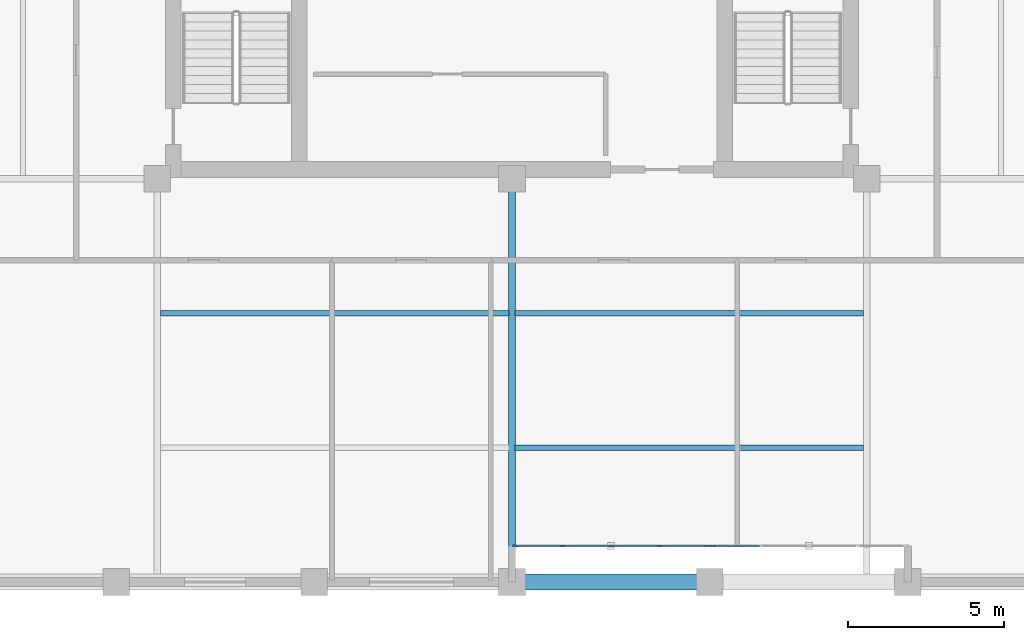
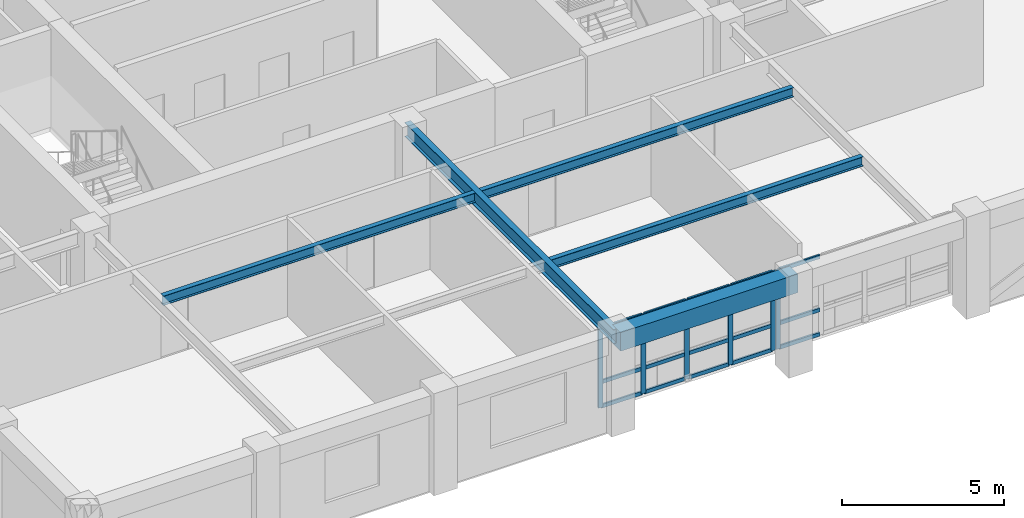
# One storey, part 2 of 13: 21 members, 5 beams, 2 elements without a shape of their own.
"""IFC4 building model written with IfcOpenShell, lengths in metres."""

from ifc_helpers import new_model, si_unit, direction, frame, origin, origin_2d, place, context, subcontext, project, spatial, rectangle, i_section, extrude, material, layer, layer_set, material_profile, profile_set, type_object, element, aggregate, save


model = new_model("IFC4")

# Units and contexts
model_context = context("Model", 3, precision=1e-05, world=origin(), true_north=direction((0.0, 1.0)))
body_context = subcontext(model_context, "Body", "Model", "MODEL_VIEW")
ifc_project = project(units=[si_unit("LENGTHUNIT", "METRE"), si_unit("AREAUNIT", "SQUARE_METRE"), si_unit("VOLUMEUNIT", "CUBIC_METRE"), si_unit("PLANEANGLEUNIT", "RADIAN"), si_unit("MASSUNIT", "GRAM", prefix="KILO")], contexts=[model_context])

# Site, building, storey
site_placement = place(None, origin())
site = spatial("IfcSite", under=ifc_project, at=site_placement, CompositionType="ELEMENT")
building_placement = place(site_placement, origin())
building = spatial("IfcBuilding", under=site, at=building_placement, Name="Nhamokura Convention Tower", CompositionType="ELEMENT")
storey_placement = place(building_placement, frame((0.0, 0.0, 206.14990234375)))
storey = spatial("IfcBuildingStorey", under=building, at=storey_placement, Name="L50", CompositionType="ELEMENT", Elevation=206.14990234375)

# Curtain wall, members
ifc_material_1 = material(Name="Anodised bronze aluminium AA6063-T6", Category="aluminium")
ifc_layer = layer(ifc_material_1, 0.155029296875)
ifc_layer_set = layer_set([ifc_layer], Name="CWSystem_ScaleSlot_Zone3")
curtain_wall_type = type_object("IfcCurtainWallType", Name="CWSystem_ScaleSlot_Zone3", PredefinedType="NOTDEFINED", material=ifc_layer_set)
curtain_wall_1_placement = place(storey_placement, origin())
curtain_wall_1 = element("IfcCurtainWall", 1, at=curtain_wall_1_placement, inside=storey, type_object=curtain_wall_type, Name="L50 Curtain Wall ENV-L50-SLOT-S3", PredefinedType="NOTDEFINED")
ifc_material_2 = material(Name="Anodised bronze aluminium AA6063-T6", Category="aluminium")
ifc_material_profile_1 = material_profile(ifc_material_2, rectangle(XDim=0.06494140625, YDim=0.1650390625, at=origin_2d()))
ifc_profile_set_1 = profile_set([ifc_material_profile_1], Name="Anodised bronze aluminium AA6063-T6")
member_type_1 = type_object("IfcMemberType", Name="CWMullion_3", PredefinedType="MULLION", material=ifc_profile_set_1)
member_1_placement = place(storey_placement, frame((38.24072265625, 8.89990234375, 0.0), z_axis=(0.0, 0.0, 1.0), x_axis=(0.0, -1.0, 0.0)))
member_1 = element("IfcMember", 2, at=member_1_placement, type_object=member_type_1, Name="CW-05 mullion 1", PredefinedType="MULLION", context=body_context, shape_type="SweptSolid", body=[
    extrude(rectangle(XDim=0.06494140625, YDim=0.1650390625, at=origin_2d()), origin(), (0.0, 0.0, 1.0), 2.985107421875),
])
member_2_placement = place(storey_placement, frame((36.719970703125, 8.89990234375, 0.0), z_axis=(0.0, 0.0, 1.0), x_axis=(0.0, -1.0, 0.0)))
member_2 = element("IfcMember", 3, at=member_2_placement, type_object=member_type_1, Name="CW-05 mullion 2", PredefinedType="MULLION", context=body_context, shape_type="SweptSolid", body=[
    extrude(rectangle(XDim=0.06494140625, YDim=0.1650390625, at=origin_2d()), origin(), (0.0, 0.0, 1.0), 2.985107421875),
])
member_3_placement = place(storey_placement, frame((35.166748046875, 8.89990234375, 0.0), z_axis=(0.0, 0.0, 1.0), x_axis=(0.0, -1.0, 0.0)))
member_3 = element("IfcMember", 4, at=member_3_placement, type_object=member_type_1, Name="CW-05 mullion 3", PredefinedType="MULLION", context=body_context, shape_type="SweptSolid", body=[
    extrude(rectangle(XDim=0.06494140625, YDim=0.1650390625, at=origin_2d()), origin(), (0.0, 0.0, 1.0), 2.985107421875),
])
member_4_placement = place(storey_placement, frame((33.61328125, 8.89990234375, 0.0), z_axis=(0.0, 0.0, 1.0), x_axis=(0.0, -1.0, 0.0)))
member_4 = element("IfcMember", 5, at=member_4_placement, type_object=member_type_1, Name="CW-05 mullion 4", PredefinedType="MULLION", context=body_context, shape_type="SweptSolid", body=[
    extrude(rectangle(XDim=0.06494140625, YDim=0.1650390625, at=origin_2d()), origin(), (0.0, 0.0, 1.0), 2.985107421875),
])
member_5_placement = place(storey_placement, frame((32.092529296875, 8.89990234375, 0.0), z_axis=(0.0, 0.0, 1.0), x_axis=(0.0, -1.0, 0.0)))
member_5 = element("IfcMember", 6, at=member_5_placement, type_object=member_type_1, Name="CW-05 mullion 5", PredefinedType="MULLION", context=body_context, shape_type="SweptSolid", body=[
    extrude(rectangle(XDim=0.06494140625, YDim=0.1650390625, at=origin_2d()), origin(), (0.0, 0.0, 1.0), 2.985107421875),
])

# Curtain wall, member
curtain_wall_2_placement = place(storey_placement, origin())
curtain_wall_2 = element("IfcCurtainWall", 7, at=curtain_wall_2_placement, inside=storey, type_object=curtain_wall_type, Name="L50 Curtain Wall ENV-L50-SLOT-S4", PredefinedType="NOTDEFINED")
member_6_placement = place(storey_placement, frame((38.42578125, 8.89990234375, 0.0), z_axis=(0.0, 0.0, 1.0), x_axis=(0.0, -1.0, 0.0)))
member_6 = element("IfcMember", 8, at=member_6_placement, type_object=member_type_1, Name="CW-05 mullion 5", PredefinedType="MULLION", context=body_context, shape_type="SweptSolid", body=[
    extrude(rectangle(XDim=0.06494140625, YDim=0.1650390625, at=origin_2d()), origin(), (0.0, 0.0, 1.0), 2.985107421875),
])

# Member
ifc_material_3 = material(Name="Anodised bronze aluminium AA6063-T6", Category="aluminium")
ifc_material_profile_2 = material_profile(ifc_material_3, rectangle(XDim=0.06494140625, YDim=0.139892578125, at=origin_2d()))
ifc_profile_set_2 = profile_set([ifc_material_profile_2], Name="Anodised bronze aluminium AA6063-T6")
member_type_2 = type_object("IfcMemberType", Name="CWTransom_3", PredefinedType="USERDEFINED", material=ifc_profile_set_2)
member_7_placement = place(storey_placement, frame((38.208251953125, 8.89990234375, 0.03271484375), z_axis=(-1.0, 0.0, 0.0), x_axis=(0.0, -1.0, 0.0)))
member_7 = element("IfcMember", 9, at=member_7_placement, type_object=member_type_2, Name="CW-05 transom 1.1", ObjectType="TRANSOM", PredefinedType="USERDEFINED", context=body_context, shape_type="SweptSolid", body=[
    extrude(rectangle(XDim=0.06494140625, YDim=0.139892578125, at=origin_2d()), origin(), (0.0, 0.0, 1.0), 1.455810546875),
])

member_8_placement = place(storey_placement, frame((38.208251953125, 8.89990234375, 0.9501953125), z_axis=(-1.0, 0.0, 0.0), x_axis=(0.0, -1.0, 0.0)))
member_8 = element("IfcMember", 10, at=member_8_placement, type_object=member_type_2, Name="CW-05 transom 1.2", ObjectType="TRANSOM", PredefinedType="USERDEFINED", context=body_context, shape_type="SweptSolid", body=[
    extrude(rectangle(XDim=0.06494140625, YDim=0.139892578125, at=origin_2d()), origin(), (0.0, 0.0, 1.0), 1.455810546875),
])

member_9_placement = place(storey_placement, frame((38.208251953125, 8.89990234375, 2.95263671875), z_axis=(-1.0, 0.0, 0.0), x_axis=(0.0, -1.0, 0.0)))
member_9 = element("IfcMember", 11, at=member_9_placement, type_object=member_type_2, Name="CW-05 transom 1.3", ObjectType="TRANSOM", PredefinedType="USERDEFINED", context=body_context, shape_type="SweptSolid", body=[
    extrude(rectangle(XDim=0.06494140625, YDim=0.139892578125, at=origin_2d()), origin(), (0.0, 0.0, 1.0), 1.455810546875),
])

member_10_placement = place(storey_placement, frame((36.6875, 8.89990234375, 0.03271484375), z_axis=(-1.0, 0.0, 0.0), x_axis=(0.0, -1.0, 0.0)))
member_10 = element("IfcMember", 12, at=member_10_placement, type_object=member_type_2, Name="CW-05 transom 2.1", ObjectType="TRANSOM", PredefinedType="USERDEFINED", context=body_context, shape_type="SweptSolid", body=[
    extrude(rectangle(XDim=0.06494140625, YDim=0.139892578125, at=origin_2d()), origin(), (0.0, 0.0, 1.0), 1.48828125),
])

member_11_placement = place(storey_placement, frame((36.6875, 8.89990234375, 0.9501953125), z_axis=(-1.0, 0.0, 0.0), x_axis=(0.0, -1.0, 0.0)))
member_11 = element("IfcMember", 13, at=member_11_placement, type_object=member_type_2, Name="CW-05 transom 2.2", ObjectType="TRANSOM", PredefinedType="USERDEFINED", context=body_context, shape_type="SweptSolid", body=[
    extrude(rectangle(XDim=0.06494140625, YDim=0.139892578125, at=origin_2d()), origin(), (0.0, 0.0, 1.0), 1.48828125),
])

member_12_placement = place(storey_placement, frame((36.6875, 8.89990234375, 2.95263671875), z_axis=(-1.0, 0.0, 0.0), x_axis=(0.0, -1.0, 0.0)))
member_12 = element("IfcMember", 14, at=member_12_placement, type_object=member_type_2, Name="CW-05 transom 2.3", ObjectType="TRANSOM", PredefinedType="USERDEFINED", context=body_context, shape_type="SweptSolid", body=[
    extrude(rectangle(XDim=0.06494140625, YDim=0.139892578125, at=origin_2d()), origin(), (0.0, 0.0, 1.0), 1.48828125),
])

member_13_placement = place(storey_placement, frame((35.134033203125, 8.89990234375, 0.03271484375), z_axis=(-1.0, 0.0, 0.0), x_axis=(0.0, -1.0, 0.0)))
member_13 = element("IfcMember", 15, at=member_13_placement, type_object=member_type_2, Name="CW-05 transom 3.1", ObjectType="TRANSOM", PredefinedType="USERDEFINED", context=body_context, shape_type="SweptSolid", body=[
    extrude(rectangle(XDim=0.06494140625, YDim=0.139892578125, at=origin_2d()), origin(), (0.0, 0.0, 1.0), 1.48828125),
])

member_14_placement = place(storey_placement, frame((35.134033203125, 8.89990234375, 0.9501953125), z_axis=(-1.0, 0.0, 0.0), x_axis=(0.0, -1.0, 0.0)))
member_14 = element("IfcMember", 16, at=member_14_placement, type_object=member_type_2, Name="CW-05 transom 3.2", ObjectType="TRANSOM", PredefinedType="USERDEFINED", context=body_context, shape_type="SweptSolid", body=[
    extrude(rectangle(XDim=0.06494140625, YDim=0.139892578125, at=origin_2d()), origin(), (0.0, 0.0, 1.0), 1.48828125),
])

member_15_placement = place(storey_placement, frame((35.134033203125, 8.89990234375, 2.95263671875), z_axis=(-1.0, 0.0, 0.0), x_axis=(0.0, -1.0, 0.0)))
member_15 = element("IfcMember", 17, at=member_15_placement, type_object=member_type_2, Name="CW-05 transom 3.3", ObjectType="TRANSOM", PredefinedType="USERDEFINED", context=body_context, shape_type="SweptSolid", body=[
    extrude(rectangle(XDim=0.06494140625, YDim=0.139892578125, at=origin_2d()), origin(), (0.0, 0.0, 1.0), 1.48828125),
])

member_16_placement = place(storey_placement, frame((33.580810546875, 8.89990234375, 0.03271484375), z_axis=(-1.0, 0.0, 0.0), x_axis=(0.0, -1.0, 0.0)))
member_16 = element("IfcMember", 18, at=member_16_placement, type_object=member_type_2, Name="CW-05 transom 4.1", ObjectType="TRANSOM", PredefinedType="USERDEFINED", context=body_context, shape_type="SweptSolid", body=[
    extrude(rectangle(XDim=0.06494140625, YDim=0.139892578125, at=origin_2d()), origin(), (0.0, 0.0, 1.0), 1.455810546875),
])

member_17_placement = place(storey_placement, frame((33.580810546875, 8.89990234375, 0.9501953125), z_axis=(-1.0, 0.0, 0.0), x_axis=(0.0, -1.0, 0.0)))
member_17 = element("IfcMember", 19, at=member_17_placement, type_object=member_type_2, Name="CW-05 transom 4.2", ObjectType="TRANSOM", PredefinedType="USERDEFINED", context=body_context, shape_type="SweptSolid", body=[
    extrude(rectangle(XDim=0.06494140625, YDim=0.139892578125, at=origin_2d()), origin(), (0.0, 0.0, 1.0), 1.455810546875),
])

member_18_placement = place(storey_placement, frame((33.580810546875, 8.89990234375, 2.95263671875), z_axis=(-1.0, 0.0, 0.0), x_axis=(0.0, -1.0, 0.0)))
member_18 = element("IfcMember", 20, at=member_18_placement, type_object=member_type_2, Name="CW-05 transom 4.3", ObjectType="TRANSOM", PredefinedType="USERDEFINED", context=body_context, shape_type="SweptSolid", body=[
    extrude(rectangle(XDim=0.06494140625, YDim=0.139892578125, at=origin_2d()), origin(), (0.0, 0.0, 1.0), 1.455810546875),
])

aggregate(curtain_wall_1, [member_1, member_2, member_3, member_4, member_5, member_7, member_8, member_9, member_10, member_11, member_12, member_13, member_14, member_15, member_16, member_17, member_18])

member_19_placement = place(storey_placement, frame((39.9140625, 8.89990234375, 0.03271484375), z_axis=(-1.0, 0.0, 0.0), x_axis=(0.0, -1.0, 0.0)))
member_19 = element("IfcMember", 21, at=member_19_placement, type_object=member_type_2, Name="CW-05 transom 4.1", ObjectType="TRANSOM", PredefinedType="USERDEFINED", context=body_context, shape_type="SweptSolid", body=[
    extrude(rectangle(XDim=0.06494140625, YDim=0.139892578125, at=origin_2d()), origin(), (0.0, 0.0, 1.0), 1.455810546875),
])

member_20_placement = place(storey_placement, frame((39.9140625, 8.89990234375, 0.9501953125), z_axis=(-1.0, 0.0, 0.0), x_axis=(0.0, -1.0, 0.0)))
member_20 = element("IfcMember", 22, at=member_20_placement, type_object=member_type_2, Name="CW-05 transom 4.2", ObjectType="TRANSOM", PredefinedType="USERDEFINED", context=body_context, shape_type="SweptSolid", body=[
    extrude(rectangle(XDim=0.06494140625, YDim=0.139892578125, at=origin_2d()), origin(), (0.0, 0.0, 1.0), 1.455810546875),
])

member_21_placement = place(storey_placement, frame((39.9140625, 8.89990234375, 2.95263671875), z_axis=(-1.0, 0.0, 0.0), x_axis=(0.0, -1.0, 0.0)))
member_21 = element("IfcMember", 23, at=member_21_placement, type_object=member_type_2, Name="CW-05 transom 4.3", ObjectType="TRANSOM", PredefinedType="USERDEFINED", context=body_context, shape_type="SweptSolid", body=[
    extrude(rectangle(XDim=0.06494140625, YDim=0.139892578125, at=origin_2d()), origin(), (0.0, 0.0, 1.0), 1.455810546875),
])

aggregate(curtain_wall_2, [member_6, member_19, member_20, member_21])

# Beams
ifc_material_4 = material(Name="Steel ASTM A992 Gr 50", Category="steel")
ifc_material_profile_3 = material_profile(ifc_material_4, i_section(OverallWidth=0.172119140625, OverallDepth=0.35791015625, WebThickness=0.0078125, FlangeThickness=0.01318359375, at=origin_2d()))
ifc_profile_set_3 = profile_set([ifc_material_profile_3], Name="Steel ASTM A992 Gr 50")
beam_type_1 = type_object("IfcBeamType", Name="FloorJoist_W360X57", PredefinedType="JOIST", material=ifc_profile_set_3)
for number, where, z_axis, x_axis, name in (
    (24, (32.103515625, 12.050048828125, 3.506103515625), (1.0, 0.0, 0.0), (0.0, 1.0, 0.0), "L50 Composite Floor Joist S1B"),
    (25, (20.75341796875, 16.35009765625, 3.506103515625), (1.0, 0.0, 0.0), (0.0, 1.0, 0.0), "L50 Composite Floor Joist S2A"),
    (26, (32.103515625, 16.35009765625, 3.506103515625), (1.0, 0.0, 0.0), (0.0, 1.0, 0.0), "L50 Composite Floor Joist S2B"),
):
    element("IfcBeam", number, at=place(storey_placement, frame(where, z_axis=z_axis, x_axis=x_axis)), inside=storey, type_object=beam_type_1, Name=name, PredefinedType="JOIST", context=body_context, shape_type="SweptSolid", body=[
        extrude(i_section(OverallWidth=0.172119140625, OverallDepth=0.35791015625, WebThickness=0.0078125, FlangeThickness=0.01318359375, at=origin_2d()), origin(), (0.0, 0.0, 1.0), 11.14306640625),
    ])
ifc_material_5 = material(Name="Steel ASTM A992 Gr 50", Category="steel")
ifc_material_profile_4 = material_profile(ifc_material_5, i_section(OverallWidth=0.2109375, OverallDepth=0.5390625, WebThickness=0.01171875, FlangeThickness=0.018798828125, at=origin_2d()))
ifc_profile_set_4 = profile_set([ifc_material_profile_4], Name="Steel ASTM A992 Gr 50")
beam_type_2 = type_object("IfcBeamType", Name="PrimaryGirder_W530X109", PredefinedType="BEAM", material=ifc_profile_set_4)
beam_1_placement = place(storey_placement, frame((32.0, 7.75, 3.41552734375), z_axis=(0.0, 1.0, 0.0), x_axis=(-1.0, 0.0, 0.0)))
element("IfcBeam", 27, at=beam_1_placement, inside=storey, type_object=beam_type_2, Name="L50 Primary Floor Girder PG-S2", PredefinedType="BEAM", context=body_context, shape_type="SweptSolid", body=[
    extrude(i_section(OverallWidth=0.2109375, OverallDepth=0.5390625, WebThickness=0.01171875, FlangeThickness=0.018798828125, at=origin_2d()), origin(), (0.0, 0.0, 1.0), 12.89990234375),
])
ifc_material_6 = material(Name="Concrete C50/60", Category="concrete")
ifc_material_profile_5 = material_profile(ifc_material_6, rectangle(XDim=0.5, YDim=0.699951171875, at=origin_2d()))
ifc_profile_set_5 = profile_set([ifc_material_profile_5], Name="Concrete C50/60")
beam_type_3 = type_object("IfcBeamType", Name="TubeSpandrel_700", PredefinedType="SPANDREL", material=ifc_profile_set_5)
beam_2_placement = place(storey_placement, frame((32.0, 7.75, 3.335205078125), z_axis=(1.0, 0.0, 0.0), x_axis=(0.0, 1.0, 0.0)))
element("IfcBeam", 28, at=beam_2_placement, inside=storey, type_object=beam_type_3, Name="L50 Perimeter Spandrel SOUTH 4", PredefinedType="SPANDREL", context=body_context, shape_type="SweptSolid", body=[
    extrude(rectangle(XDim=0.5, YDim=0.699951171875, at=origin_2d()), origin(), (0.0, 0.0, 1.0), 6.333251953125),
])

save(model, "model.ifc")
